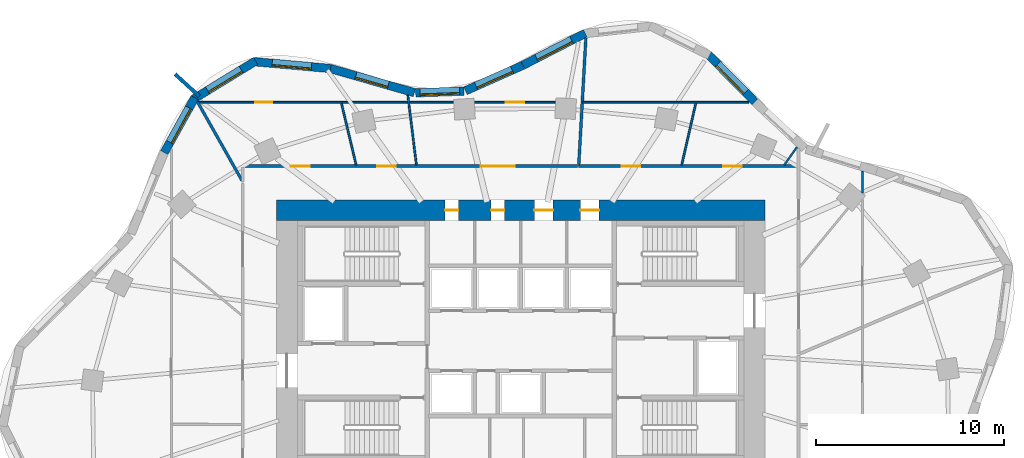
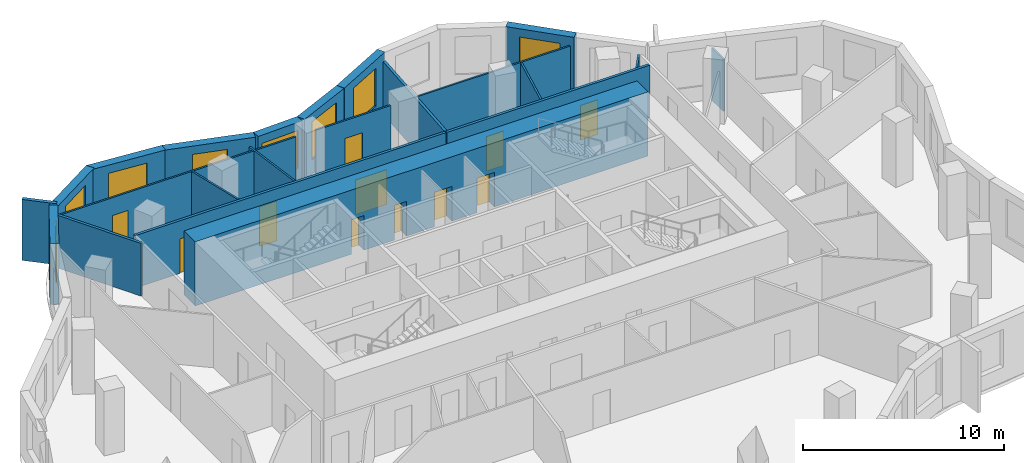
# One storey, part 7 of 9: 22 walls, 11 doors, 8 windows, 19 openings.
"""IFC4 building model written with IfcOpenShell, lengths in metres."""

from ifc_helpers import new_model, si_unit, direction, frame, frame_2d, origin, place, context, subcontext, project, spatial, rectangle, extrude, material, layer, layer_set, type_object, element, fill, save


model = new_model("IFC4")

# Units and contexts
model_context = context("Model", 3, precision=1e-05, world=origin(), true_north=direction((0.0, 1.0)))
body_context = subcontext(model_context, "Body", "Model", "MODEL_VIEW")
ifc_project = project(units=[si_unit("LENGTHUNIT", "METRE"), si_unit("AREAUNIT", "SQUARE_METRE"), si_unit("VOLUMEUNIT", "CUBIC_METRE"), si_unit("PLANEANGLEUNIT", "RADIAN"), si_unit("MASSUNIT", "GRAM", prefix="KILO")], contexts=[model_context])

# Site, building, storey
site_placement = place(None, origin())
site = spatial("IfcSite", under=ifc_project, at=site_placement, CompositionType="ELEMENT")
building_placement = place(site_placement, origin())
building = spatial("IfcBuilding", under=site, at=building_placement, Name="Rubra Terraces Tower", CompositionType="ELEMENT")
storey_placement = place(building_placement, frame((0.0, 0.0, 138.300048828125)))
storey = spatial("IfcBuildingStorey", under=building, at=storey_placement, Name="L33", CompositionType="ELEMENT", Elevation=138.300048828125)

# Wall, opening, window
ifc_material_1 = material(Name="Brick masonry red-brown", Category="masonry")
ifc_layer_1 = layer(ifc_material_1, 0.449951171875)
ifc_layer_set_1 = layer_set([ifc_layer_1], Name="Brick masonry red-brown")
wall_type_1 = type_object("IfcWallType", Name="Brick facade wall 450", PredefinedType="SOLIDWALL", material=ifc_layer_set_1)
wall_1_placement = place(storey_placement, frame((12.46630859375, 17.2255859375, 0.0), z_axis=(0.0, 0.0, 1.0), x_axis=(-0.701875966769, 0.712299183821, 0.0)))
wall_1 = element("IfcWall", 1, at=wall_1_placement, inside=storey, type_object=wall_type_1, Name="Facade wall L33 bay 7", PredefinedType="SOLIDWALL", context=body_context, shape_type="SweptSolid", body=[
    extrude(rectangle(XDim=3.536865234375, YDim=0.449951171875, at=frame_2d((1.7685546875, 0.0))), origin(), (0.0, 0.0, 1.0), 3.699951171875),
])
opening_1_placement = place(wall_1_placement, frame((0.71826171875, 0.0, 0.89990234375)))
opening_1 = element("IfcOpeningElement", 2, at=opening_1_placement, cuts=wall_1, Name="Opening W1B", PredefinedType="OPENING", context=body_context, shape_type="SweptSolid", body=[
    extrude(rectangle(XDim=2.10009765625, YDim=2.300048828125, at=frame_2d((1.050048828125, 1.14990234375))), frame((0.0, 0.23486328125, 0.0), z_axis=(0.0, -1.0, 0.0), x_axis=(1.0, 0.0, 0.0)), (0.0, 0.0, 1.0), 0.469970703125),
])
ifc_material_2 = material(Name="Clear glass in aluminium frame", Category="aluminium")
window_type_1 = type_object("IfcWindowType", Name="Fixed deep-set window tall storey 2100 x 2300", PartitioningType="SINGLE_PANEL", PredefinedType="WINDOW", material=ifc_material_2)
window_1_placement = place(opening_1_placement, origin())
window_1 = element("IfcWindow", 3, at=window_1_placement, inside=storey, type_object=window_type_1, Name="Window L33 bay 7", OverallHeight=2.300048828125, OverallWidth=2.10009765625, PartitioningType="SINGLE_PANEL", PredefinedType="WINDOW", context=body_context, shape_type="SweptSolid", body=[
    extrude(rectangle(XDim=2.10009765625, YDim=2.300048828125, at=frame_2d((1.050048828125, 1.14990234375))), frame((0.0, 0.135009765625, 0.0), z_axis=(0.0, -1.0, 0.0), x_axis=(1.0, 0.0, 0.0)), (0.0, 0.0, 1.0), 0.06005859375),
])
fill(opening_1, window_1)

wall_2_placement = place(storey_placement, frame((3.439697265625, 20.879638671875, 0.0), z_axis=(0.0, 0.0, 1.0), x_axis=(-0.889471529144, -0.456990589446, 0.0)))
wall_2 = element("IfcWall", 4, at=wall_2_placement, inside=storey, type_object=wall_type_1, Name="Facade wall L33 bay 10", PredefinedType="SOLIDWALL", context=body_context, shape_type="SweptSolid", body=[
    extrude(rectangle(XDim=3.7353515625, YDim=0.449951171875, at=frame_2d((1.86767578125, 0.0))), origin(), (0.0, 0.0, 1.0), 3.699951171875),
])
opening_2_placement = place(wall_2_placement, frame((0.817626953125, 0.0, 0.89990234375)))
opening_2 = element("IfcOpeningElement", 5, at=opening_2_placement, cuts=wall_2, Name="Opening W1B", PredefinedType="OPENING", context=body_context, shape_type="SweptSolid", body=[
    extrude(rectangle(XDim=2.10009765625, YDim=2.300048828125, at=frame_2d((1.050048828125, 1.14990234375))), frame((0.0, 0.23486328125, 0.0), z_axis=(0.0, -1.0, 0.0), x_axis=(1.0, 0.0, 0.0)), (0.0, 0.0, 1.0), 0.469970703125),
])
window_2_placement = place(opening_2_placement, origin())
window_2 = element("IfcWindow", 6, at=window_2_placement, inside=storey, type_object=window_type_1, Name="Window L33 bay 10", OverallHeight=2.300048828125, OverallWidth=2.10009765625, PartitioningType="SINGLE_PANEL", PredefinedType="WINDOW", context=body_context, shape_type="SweptSolid", body=[
    extrude(rectangle(XDim=2.10009765625, YDim=2.300048828125, at=frame_2d((1.050048828125, 1.14990234375))), frame((0.0, 0.135009765625, 0.0), z_axis=(0.0, -1.0, 0.0), x_axis=(1.0, 0.0, 0.0)), (0.0, 0.0, 1.0), 0.06005859375),
])
fill(opening_2, window_2)

wall_3_placement = place(storey_placement, frame((0.105224609375, 19.1669921875, 0.0), z_axis=(0.0, 0.0, 1.0), x_axis=(-0.91414046241, -0.405397601109, 0.0)))
wall_3 = element("IfcWall", 7, at=wall_3_placement, inside=storey, type_object=wall_type_1, Name="Facade wall L33 bay 11", PredefinedType="SOLIDWALL", context=body_context, shape_type="SweptSolid", body=[
    extrude(rectangle(XDim=3.333251953125, YDim=0.449951171875, at=frame_2d((1.66650390625, 0.0))), origin(), (0.0, 0.0, 1.0), 3.699951171875),
])
opening_3_placement = place(wall_3_placement, frame((0.61669921875, 0.0, 0.89990234375)))
opening_3 = element("IfcOpeningElement", 8, at=opening_3_placement, cuts=wall_3, Name="Opening W1B", PredefinedType="OPENING", context=body_context, shape_type="SweptSolid", body=[
    extrude(rectangle(XDim=2.10009765625, YDim=2.300048828125, at=frame_2d((1.050048828125, 1.14990234375))), frame((0.0, 0.23486328125, 0.0), z_axis=(0.0, -1.0, 0.0), x_axis=(1.0, 0.0, 0.0)), (0.0, 0.0, 1.0), 0.469970703125),
])
window_3_placement = place(opening_3_placement, origin())
window_3 = element("IfcWindow", 9, at=window_3_placement, inside=storey, type_object=window_type_1, Name="Window L33 bay 11", OverallHeight=2.300048828125, OverallWidth=2.10009765625, PartitioningType="SINGLE_PANEL", PredefinedType="WINDOW", context=body_context, shape_type="SweptSolid", body=[
    extrude(rectangle(XDim=2.10009765625, YDim=2.300048828125, at=frame_2d((1.050048828125, 1.14990234375))), frame((0.0, 0.135009765625, 0.0), z_axis=(0.0, -1.0, 0.0), x_axis=(1.0, 0.0, 0.0)), (0.0, 0.0, 1.0), 0.06005859375),
])
fill(opening_3, window_3)

wall_4_placement = place(storey_placement, frame((-3.022216796875, 17.797607421875, 0.0), z_axis=(0.0, 0.0, 1.0), x_axis=(-0.999339560591, -0.036337895349, 0.0)))
wall_4 = element("IfcWall", 10, at=wall_4_placement, inside=storey, type_object=wall_type_1, Name="Facade wall L33 bay 12", PredefinedType="SOLIDWALL", context=body_context, shape_type="SweptSolid", body=[
    extrude(rectangle(XDim=2.5732421875, YDim=0.449951171875, at=frame_2d((1.28662109375, 0.0))), origin(), (0.0, 0.0, 1.0), 3.699951171875),
])
opening_4_placement = place(wall_4_placement, frame((0.236572265625, 0.0, 0.89990234375)))
opening_4 = element("IfcOpeningElement", 11, at=opening_4_placement, cuts=wall_4, Name="Opening W1B", PredefinedType="OPENING", context=body_context, shape_type="SweptSolid", body=[
    extrude(rectangle(XDim=2.10009765625, YDim=2.300048828125, at=frame_2d((1.050048828125, 1.14990234375))), frame((0.0, 0.23486328125, 0.0), z_axis=(0.0, -1.0, 0.0), x_axis=(1.0, 0.0, 0.0)), (0.0, 0.0, 1.0), 0.469970703125),
])
window_4_placement = place(opening_4_placement, origin())
window_4 = element("IfcWindow", 12, at=window_4_placement, inside=storey, type_object=window_type_1, Name="Window L33 bay 12", OverallHeight=2.300048828125, OverallWidth=2.10009765625, PartitioningType="SINGLE_PANEL", PredefinedType="WINDOW", context=body_context, shape_type="SweptSolid", body=[
    extrude(rectangle(XDim=2.10009765625, YDim=2.300048828125, at=frame_2d((1.050048828125, 1.14990234375))), frame((0.0, 0.135009765625, 0.0), z_axis=(0.0, -1.0, 0.0), x_axis=(1.0, 0.0, 0.0)), (0.0, 0.0, 1.0), 0.06005859375),
])
fill(opening_4, window_4)

wall_5_placement = place(storey_placement, frame((-5.6640625, 17.712646484375, 0.0), z_axis=(0.0, 0.0, 1.0), x_axis=(-0.961108031684, 0.276172684083, 0.0)))
wall_5 = element("IfcWall", 13, at=wall_5_placement, inside=storey, type_object=wall_type_1, Name="Facade wall L33 bay 13", PredefinedType="SOLIDWALL", context=body_context, shape_type="SweptSolid", body=[
    extrude(rectangle(XDim=4.686279296875, YDim=0.449951171875, at=frame_2d((2.34326171875, 0.0))), origin(), (0.0, 0.0, 1.0), 3.699951171875),
])
opening_5_placement = place(wall_5_placement, frame((1.443115234375, 0.0, 0.89990234375)))
opening_5 = element("IfcOpeningElement", 14, at=opening_5_placement, cuts=wall_5, Name="Opening W6B", PredefinedType="OPENING", context=body_context, shape_type="SweptSolid", body=[
    extrude(rectangle(XDim=1.800048828125, YDim=2.300048828125, at=frame_2d((0.89990234375, 1.14990234375))), frame((0.0, 0.23486328125, 0.0), z_axis=(0.0, -1.0, 0.0), x_axis=(1.0, 0.0, 0.0)), (0.0, 0.0, 1.0), 0.469970703125),
])
window_type_2 = type_object("IfcWindowType", Name="Fixed deep-set window at wind fin tall storey 1800 x 2300", PartitioningType="SINGLE_PANEL", PredefinedType="WINDOW", material=ifc_material_2)
window_5_placement = place(opening_5_placement, origin())
window_5 = element("IfcWindow", 15, at=window_5_placement, inside=storey, type_object=window_type_2, Name="Window L33 bay 13", OverallHeight=2.300048828125, OverallWidth=1.800048828125, PartitioningType="SINGLE_PANEL", PredefinedType="WINDOW", context=body_context, shape_type="SweptSolid", body=[
    extrude(rectangle(XDim=1.800048828125, YDim=2.300048828125, at=frame_2d((0.89990234375, 1.14990234375))), frame((0.0, 0.135009765625, 0.0), z_axis=(0.0, -1.0, 0.0), x_axis=(1.0, 0.0, 0.0)), (0.0, 0.0, 1.0), 0.06005859375),
])
fill(opening_5, window_5)

wall_6_placement = place(storey_placement, frame((-10.125732421875, 18.9990234375, 0.0), z_axis=(0.0, 0.0, 1.0), x_axis=(-0.996031087117, 0.089006030672, 0.0)))
wall_6 = element("IfcWall", 16, at=wall_6_placement, inside=storey, type_object=wall_type_1, Name="Facade wall L33 bay 14", PredefinedType="SOLIDWALL", context=body_context, shape_type="SweptSolid", body=[
    extrude(rectangle(XDim=4.14453125, YDim=0.449951171875, at=frame_2d((2.072265625, 0.0))), origin(), (0.0, 0.0, 1.0), 3.699951171875),
])
opening_6_placement = place(wall_6_placement, frame((1.022216796875, 0.0, 0.89990234375)))
opening_6 = element("IfcOpeningElement", 17, at=opening_6_placement, cuts=wall_6, Name="Opening W1B", PredefinedType="OPENING", context=body_context, shape_type="SweptSolid", body=[
    extrude(rectangle(XDim=2.10009765625, YDim=2.300048828125, at=frame_2d((1.050048828125, 1.14990234375))), frame((0.0, 0.23486328125, 0.0), z_axis=(0.0, -1.0, 0.0), x_axis=(1.0, 0.0, 0.0)), (0.0, 0.0, 1.0), 0.469970703125),
])
window_6_placement = place(opening_6_placement, origin())
window_6 = element("IfcWindow", 18, at=window_6_placement, inside=storey, type_object=window_type_1, Name="Window L33 bay 14", OverallHeight=2.300048828125, OverallWidth=2.10009765625, PartitioningType="SINGLE_PANEL", PredefinedType="WINDOW", context=body_context, shape_type="SweptSolid", body=[
    extrude(rectangle(XDim=2.10009765625, YDim=2.300048828125, at=frame_2d((1.050048828125, 1.14990234375))), frame((0.0, 0.135009765625, 0.0), z_axis=(0.0, -1.0, 0.0), x_axis=(1.0, 0.0, 0.0)), (0.0, 0.0, 1.0), 0.06005859375),
])
fill(opening_6, window_6)

wall_7_placement = place(storey_placement, frame((-14.116455078125, 19.400146484375, 0.0), z_axis=(0.0, 0.0, 1.0), x_axis=(-0.852622865325, -0.522526793117, 0.0)))
wall_7 = element("IfcWall", 19, at=wall_7_placement, inside=storey, type_object=wall_type_1, Name="Facade wall L33 bay 15", PredefinedType="SOLIDWALL", context=body_context, shape_type="SweptSolid", body=[
    extrude(rectangle(XDim=3.896240234375, YDim=0.449951171875, at=frame_2d((1.9482421875, 0.0))), origin(), (0.0, 0.0, 1.0), 3.699951171875),
])
opening_7_placement = place(wall_7_placement, frame((0.898193359375, 0.0, 0.89990234375)))
opening_7 = element("IfcOpeningElement", 20, at=opening_7_placement, cuts=wall_7, Name="Opening W1B", PredefinedType="OPENING", context=body_context, shape_type="SweptSolid", body=[
    extrude(rectangle(XDim=2.10009765625, YDim=2.300048828125, at=frame_2d((1.050048828125, 1.14990234375))), frame((0.0, 0.23486328125, 0.0), z_axis=(0.0, -1.0, 0.0), x_axis=(1.0, 0.0, 0.0)), (0.0, 0.0, 1.0), 0.469970703125),
])
window_7_placement = place(opening_7_placement, origin())
window_7 = element("IfcWindow", 21, at=window_7_placement, inside=storey, type_object=window_type_1, Name="Window L33 bay 15", OverallHeight=2.300048828125, OverallWidth=2.10009765625, PartitioningType="SINGLE_PANEL", PredefinedType="WINDOW", context=body_context, shape_type="SweptSolid", body=[
    extrude(rectangle(XDim=2.10009765625, YDim=2.300048828125, at=frame_2d((1.050048828125, 1.14990234375))), frame((0.0, 0.135009765625, 0.0), z_axis=(0.0, -1.0, 0.0), x_axis=(1.0, 0.0, 0.0)), (0.0, 0.0, 1.0), 0.06005859375),
])
fill(opening_7, window_7)

wall_8_placement = place(storey_placement, frame((-17.359375, 17.44677734375, 0.0), z_axis=(0.0, 0.0, 1.0), x_axis=(-0.485618126214, -0.874171056197, 0.0)))
wall_8 = element("IfcWall", 22, at=wall_8_placement, inside=storey, type_object=wall_type_1, Name="Facade wall L33 bay 16", PredefinedType="SOLIDWALL", context=body_context, shape_type="SweptSolid", body=[
    extrude(rectangle(XDim=3.3427734375, YDim=0.449951171875, at=frame_2d((1.67138671875, 0.0))), origin(), (0.0, 0.0, 1.0), 3.699951171875),
])
opening_8_placement = place(wall_8_placement, frame((0.621337890625, 0.0, 0.89990234375)))
opening_8 = element("IfcOpeningElement", 23, at=opening_8_placement, cuts=wall_8, Name="Opening W1B", PredefinedType="OPENING", context=body_context, shape_type="SweptSolid", body=[
    extrude(rectangle(XDim=2.10009765625, YDim=2.300048828125, at=frame_2d((1.050048828125, 1.14990234375))), frame((0.0, 0.23486328125, 0.0), z_axis=(0.0, -1.0, 0.0), x_axis=(1.0, 0.0, 0.0)), (0.0, 0.0, 1.0), 0.469970703125),
])
window_8_placement = place(opening_8_placement, origin())
window_8 = element("IfcWindow", 24, at=window_8_placement, inside=storey, type_object=window_type_1, Name="Window L33 bay 16", OverallHeight=2.300048828125, OverallWidth=2.10009765625, PartitioningType="SINGLE_PANEL", PredefinedType="WINDOW", context=body_context, shape_type="SweptSolid", body=[
    extrude(rectangle(XDim=2.10009765625, YDim=2.300048828125, at=frame_2d((1.050048828125, 1.14990234375))), frame((0.0, 0.135009765625, 0.0), z_axis=(0.0, -1.0, 0.0), x_axis=(1.0, 0.0, 0.0)), (0.0, 0.0, 1.0), 0.06005859375),
])
fill(opening_8, window_8)

# Wall
ifc_layer_2 = layer(ifc_material_1, 0.199951171875)
ifc_layer_set_2 = layer_set([ifc_layer_2], Name="Brick masonry red-brown")
wall_type_2 = type_object("IfcWallType", Name="Brick wind fin 200", PredefinedType="SOLIDWALL", material=ifc_layer_set_2)
wall_9_placement = place(storey_placement, frame((-17.118896484375, 17.52294921875, 0.0), z_axis=(0.0, 0.0, 1.0), x_axis=(-0.737866019047, 0.674947211221, 0.0)))
element("IfcWall", 25, at=wall_9_placement, inside=storey, type_object=wall_type_2, Name="Wind fin L33 8", PredefinedType="SOLIDWALL", context=body_context, shape_type="SweptSolid", body=[
    extrude(rectangle(XDim=1.75, YDim=0.199951171875, at=frame_2d((0.875, 0.0))), origin(), (0.0, 0.0, 1.0), 3.699951171875),
])

# Wall, openings, doors
ifc_material_3 = material(Name="Concrete C60", Category="concrete")
ifc_layer_3 = layer(ifc_material_3, 1.10009765625)
ifc_layer_set_3 = layer_set([ifc_layer_3], Name="Concrete C60")
wall_type_3 = type_object("IfcWallType", Name="CORE WALL 1100 C60", PredefinedType="SHEAR", material=ifc_layer_set_3)
wall_10_placement = place(storey_placement, frame((-13.0, 11.449951171875, 0.0), z_axis=(0.0, 0.0, 1.0), x_axis=(1.0, 0.0, 0.0)))
wall_10 = element("IfcWall", 26, at=wall_10_placement, inside=storey, type_object=wall_type_3, Name="CORE WALL N L33", PredefinedType="SHEAR", context=body_context, shape_type="SweptSolid", body=[
    extrude(rectangle(XDim=26.0, YDim=1.10009765625, at=frame_2d((13.0, 0.0))), origin(), (0.0, 0.0, 1.0), 3.89990234375),
])
opening_9_placement = place(wall_10_placement, frame((8.97509765625, 0.0, 0.0)))
opening_9 = element("IfcOpeningElement", 27, at=opening_9_placement, cuts=wall_10, Name="Opening L33.C25", PredefinedType="OPENING", context=body_context, shape_type="SweptSolid", body=[
    extrude(rectangle(XDim=0.699951171875, YDim=2.10009765625, at=frame_2d((0.35009765625, 1.050048828125))), frame((0.0, 0.56005859375, 0.0), z_axis=(0.0, -1.0, 0.0), x_axis=(1.0, 0.0, 0.0)), (0.0, 0.0, 1.0), 1.1201171875),
])
opening_10_placement = place(wall_10_placement, frame((11.425048828125, 0.0, 0.0)))
opening_10 = element("IfcOpeningElement", 28, at=opening_10_placement, cuts=wall_10, Name="Opening L33.C26", PredefinedType="OPENING", context=body_context, shape_type="SweptSolid", body=[
    extrude(rectangle(XDim=0.699951171875, YDim=2.10009765625, at=frame_2d((0.35009765625, 1.050048828125))), frame((0.0, 0.56005859375, 0.0), z_axis=(0.0, -1.0, 0.0), x_axis=(1.0, 0.0, 0.0)), (0.0, 0.0, 1.0), 1.1201171875),
])
opening_11_placement = place(wall_10_placement, frame((13.72509765625, 0.0, 0.0)))
opening_11 = element("IfcOpeningElement", 29, at=opening_11_placement, cuts=wall_10, Name="Opening L33.C27", PredefinedType="OPENING", context=body_context, shape_type="SweptSolid", body=[
    extrude(rectangle(XDim=1.0, YDim=2.10009765625, at=frame_2d((0.5, 1.050048828125))), frame((0.0, 0.56005859375, 0.0), z_axis=(0.0, -1.0, 0.0), x_axis=(1.0, 0.0, 0.0)), (0.0, 0.0, 1.0), 1.1201171875),
])
opening_12_placement = place(wall_10_placement, frame((16.175048828125, 0.0, 0.0)))
opening_12 = element("IfcOpeningElement", 30, at=opening_12_placement, cuts=wall_10, Name="Opening L33.C28", PredefinedType="OPENING", context=body_context, shape_type="SweptSolid", body=[
    extrude(rectangle(XDim=1.0, YDim=2.10009765625, at=frame_2d((0.5, 1.050048828125))), frame((0.0, 0.56005859375, 0.0), z_axis=(0.0, -1.0, 0.0), x_axis=(1.0, 0.0, 0.0)), (0.0, 0.0, 1.0), 1.1201171875),
])
ifc_material_4 = material(Name="Painted steel", Category="steel")
door_type_1 = type_object("IfcDoorType", Name="Fire door 1000x2100 single", OperationType="NOTDEFINED", PredefinedType="DOOR", material=ifc_material_4)
door_1_placement = place(opening_11_placement, origin())
door_1 = element("IfcDoor", 31, at=door_1_placement, inside=storey, type_object=door_type_1, Name="Tea point door", OperationType="SINGLE_SWING_LEFT", OverallHeight=2.10009765625, OverallWidth=1.0, PredefinedType="DOOR", context=body_context, shape_type="SweptSolid", body=[
    extrude(rectangle(XDim=1.0, YDim=2.10009765625, at=frame_2d((0.5, 1.050048828125))), frame((0.0, 0.02490234375, 0.0), z_axis=(0.0, -1.0, 0.0), x_axis=(1.0, 0.0, 0.0)), (0.0, 0.0, 1.0), 0.050048828125),
])
fill(opening_11, door_1)
door_2_placement = place(opening_12_placement, origin())
door_2 = element("IfcDoor", 32, at=door_2_placement, inside=storey, type_object=door_type_1, Name="General store door", OperationType="SINGLE_SWING_RIGHT", OverallHeight=2.10009765625, OverallWidth=1.0, PredefinedType="DOOR", context=body_context, shape_type="SweptSolid", body=[
    extrude(rectangle(XDim=1.0, YDim=2.10009765625, at=frame_2d((0.5, 1.050048828125))), frame((0.0, 0.02490234375, 0.0), z_axis=(0.0, -1.0, 0.0), x_axis=(1.0, 0.0, 0.0)), (0.0, 0.0, 1.0), 0.050048828125),
])
fill(opening_12, door_2)
door_type_2 = type_object("IfcDoorType", Name="Riser access door 700x2100 single", OperationType="NOTDEFINED", PredefinedType="DOOR", material=ifc_material_4)
door_3_placement = place(opening_9_placement, origin())
door_3 = element("IfcDoor", 33, at=door_3_placement, inside=storey, type_object=door_type_2, Name="Electrical riser room door", OperationType="SINGLE_SWING_LEFT", OverallHeight=2.10009765625, OverallWidth=0.699951171875, PredefinedType="DOOR", context=body_context, shape_type="SweptSolid", body=[
    extrude(rectangle(XDim=0.699951171875, YDim=2.10009765625, at=frame_2d((0.35009765625, 1.050048828125))), frame((0.0, 0.02490234375, 0.0), z_axis=(0.0, -1.0, 0.0), x_axis=(1.0, 0.0, 0.0)), (0.0, 0.0, 1.0), 0.050048828125),
])
fill(opening_9, door_3)
door_4_placement = place(opening_10_placement, origin())
door_4 = element("IfcDoor", 34, at=door_4_placement, inside=storey, type_object=door_type_2, Name="Telecoms room door", OperationType="SINGLE_SWING_RIGHT", OverallHeight=2.10009765625, OverallWidth=0.699951171875, PredefinedType="DOOR", context=body_context, shape_type="SweptSolid", body=[
    extrude(rectangle(XDim=0.699951171875, YDim=2.10009765625, at=frame_2d((0.35009765625, 1.050048828125))), frame((0.0, 0.02490234375, 0.0), z_axis=(0.0, -1.0, 0.0), x_axis=(1.0, 0.0, 0.0)), (0.0, 0.0, 1.0), 0.050048828125),
])
fill(opening_10, door_4)

ifc_material_5 = material(Name="Plasterboard on steel stud, mineral wool infill", Category="steel")
ifc_layer_4 = layer(ifc_material_5, 0.14990234375)
ifc_layer_set_4 = layer_set([ifc_layer_4], Name="Plasterboard on steel stud, mineral wool infill")
wall_type_4 = type_object("IfcWallType", Name="CORRIDOR PARTITION 150", PredefinedType="PARTITIONING", material=ifc_layer_set_4)
wall_11_placement = place(storey_placement, frame((14.72509765625, 13.800048828125, 0.0), z_axis=(0.0, 0.0, 1.0), x_axis=(-1.0, 0.0, 0.0)))
wall_11 = element("IfcWall", 35, at=wall_11_placement, inside=storey, type_object=wall_type_4, Name="PARTITION", PredefinedType="PARTITIONING", context=body_context, shape_type="SweptSolid", body=[
    extrude(rectangle(XDim=11.638427734375, YDim=0.14990234375, at=frame_2d((5.8193359375, 0.0))), origin(), (0.0, 0.0, 1.0), 3.197998046875),
])
opening_13_placement = place(wall_11_placement, frame((2.949951171875, 0.0, 0.0)))
opening_13 = element("IfcOpeningElement", 36, at=opening_13_placement, cuts=wall_11, Name="Opening 33-124", PredefinedType="OPENING", context=body_context, shape_type="SweptSolid", body=[
    extrude(rectangle(XDim=1.0, YDim=2.10009765625, at=frame_2d((0.5, 1.050048828125))), frame((0.0, 0.0849609375, 0.0), z_axis=(0.0, -1.0, 0.0), x_axis=(1.0, 0.0, 0.0)), (0.0, 0.0, 1.0), 0.169921875),
])
opening_14_placement = place(wall_11_placement, frame((8.35009765625, 0.0, 0.0)))
opening_14 = element("IfcOpeningElement", 37, at=opening_14_placement, cuts=wall_11, Name="Opening 33-125", PredefinedType="OPENING", context=body_context, shape_type="SweptSolid", body=[
    extrude(rectangle(XDim=1.0, YDim=2.10009765625, at=frame_2d((0.5, 1.050048828125))), frame((0.0, 0.0849609375, 0.0), z_axis=(0.0, -1.0, 0.0), x_axis=(1.0, 0.0, 0.0)), (0.0, 0.0, 1.0), 0.169921875),
])
ifc_material_6 = material(Name="Painted timber door leaf", Category="wood")
door_type_3 = type_object("IfcDoorType", Name="ROOM DOOR 1000 X 2100", OperationType="SINGLE_SWING_LEFT", PredefinedType="DOOR", material=ifc_material_6)
door_5_placement = place(opening_13_placement, origin())
door_5 = element("IfcDoor", 38, at=door_5_placement, inside=storey, type_object=door_type_3, Name="DOOR 33-124", OperationType="SINGLE_SWING_RIGHT", OverallHeight=2.10009765625, OverallWidth=1.0, PredefinedType="DOOR", context=body_context, shape_type="SweptSolid", body=[
    extrude(rectangle(XDim=1.0, YDim=2.10009765625, at=frame_2d((0.5, 1.050048828125))), frame((0.0, 0.02490234375, 0.0), z_axis=(0.0, -1.0, 0.0), x_axis=(1.0, 0.0, 0.0)), (0.0, 0.0, 1.0), 0.050048828125),
])
fill(opening_13, door_5)
door_6_placement = place(opening_14_placement, origin())
door_6 = element("IfcDoor", 39, at=door_6_placement, inside=storey, type_object=door_type_3, Name="DOOR 33-125", OperationType="SINGLE_SWING_RIGHT", OverallHeight=2.10009765625, OverallWidth=1.0, PredefinedType="DOOR", context=body_context, shape_type="SweptSolid", body=[
    extrude(rectangle(XDim=1.0, YDim=2.10009765625, at=frame_2d((0.5, 1.050048828125))), frame((0.0, 0.02490234375, 0.0), z_axis=(0.0, -1.0, 0.0), x_axis=(1.0, 0.0, 0.0)), (0.0, 0.0, 1.0), 0.050048828125),
])
fill(opening_14, door_6)

wall_12_placement = place(storey_placement, frame((3.01171875, 13.800048828125, 0.0), z_axis=(0.0, 0.0, 1.0), x_axis=(-1.0, 0.0, 0.0)))
wall_12 = element("IfcWall", 40, at=wall_12_placement, inside=storey, type_object=wall_type_4, Name="PARTITION", PredefinedType="PARTITIONING", context=body_context, shape_type="SweptSolid", body=[
    extrude(rectangle(XDim=17.811767578125, YDim=0.14990234375, at=frame_2d((8.90576171875, 0.0))), origin(), (0.0, 0.0, 1.0), 3.197998046875),
])
opening_15_placement = place(wall_12_placement, frame((3.342041015625, 0.0, 0.0)))
opening_15 = element("IfcOpeningElement", 41, at=opening_15_placement, cuts=wall_12, Name="Opening 33-104", PredefinedType="OPENING", context=body_context, shape_type="SweptSolid", body=[
    extrude(rectangle(XDim=1.800048828125, YDim=2.10009765625, at=frame_2d((0.89990234375, 1.050048828125))), frame((0.0, 0.0849609375, 0.0), z_axis=(0.0, -1.0, 0.0), x_axis=(1.0, 0.0, 0.0)), (0.0, 0.0, 1.0), 0.169921875),
])
opening_16_placement = place(wall_12_placement, frame((9.658935546875, 0.0, 0.0)))
opening_16 = element("IfcOpeningElement", 42, at=opening_16_placement, cuts=wall_12, Name="Opening 33-105", PredefinedType="OPENING", context=body_context, shape_type="SweptSolid", body=[
    extrude(rectangle(XDim=1.0, YDim=2.39990234375, at=frame_2d((0.5, 1.199951171875))), frame((0.0, 0.0849609375, 0.0), z_axis=(0.0, -1.0, 0.0), x_axis=(1.0, 0.0, 0.0)), (0.0, 0.0, 1.0), 0.169921875),
])
opening_17_placement = place(wall_12_placement, frame((14.25, 0.0, 0.0)))
opening_17 = element("IfcOpeningElement", 43, at=opening_17_placement, cuts=wall_12, Name="Opening 33-127", PredefinedType="OPENING", context=body_context, shape_type="SweptSolid", body=[
    extrude(rectangle(XDim=1.0, YDim=2.10009765625, at=frame_2d((0.5, 1.050048828125))), frame((0.0, 0.0849609375, 0.0), z_axis=(0.0, -1.0, 0.0), x_axis=(1.0, 0.0, 0.0)), (0.0, 0.0, 1.0), 0.169921875),
])
ifc_material_7 = material(Name="Glazed aluminium meeting door leaf", Category="aluminium")
door_type_4 = type_object("IfcDoorType", Name="MEETING ROOM GLAZED DOOR 1000 X 2400", OperationType="SINGLE_SWING_LEFT", PredefinedType="DOOR", material=ifc_material_7)
door_7_placement = place(opening_16_placement, origin())
door_7 = element("IfcDoor", 44, at=door_7_placement, inside=storey, type_object=door_type_4, Name="DOOR 33-105", OperationType="SINGLE_SWING_RIGHT", OverallHeight=2.39990234375, OverallWidth=1.0, PredefinedType="DOOR", context=body_context, shape_type="SweptSolid", body=[
    extrude(rectangle(XDim=1.0, YDim=2.39990234375, at=frame_2d((0.5, 1.199951171875))), frame((0.0, 0.02490234375, 0.0), z_axis=(0.0, -1.0, 0.0), x_axis=(1.0, 0.0, 0.0)), (0.0, 0.0, 1.0), 0.050048828125),
])
fill(opening_16, door_7)
door_8_placement = place(opening_17_placement, origin())
door_8 = element("IfcDoor", 45, at=door_8_placement, inside=storey, type_object=door_type_3, Name="DOOR 33-127", OperationType="SINGLE_SWING_RIGHT", OverallHeight=2.10009765625, OverallWidth=1.0, PredefinedType="DOOR", context=body_context, shape_type="SweptSolid", body=[
    extrude(rectangle(XDim=1.0, YDim=2.10009765625, at=frame_2d((0.5, 1.050048828125))), frame((0.0, 0.02490234375, 0.0), z_axis=(0.0, -1.0, 0.0), x_axis=(1.0, 0.0, 0.0)), (0.0, 0.0, 1.0), 0.050048828125),
])
fill(opening_17, door_8)
ifc_material_8 = material(Name="Painted timber door leaf, double", Category="wood")
door_type_5 = type_object("IfcDoorType", Name="ROOM DOUBLE DOOR 1800 X 2100", OperationType="DOUBLE_DOOR_SINGLE_SWING", PredefinedType="DOOR", material=ifc_material_8)
door_9_placement = place(opening_15_placement, origin())
door_9 = element("IfcDoor", 46, at=door_9_placement, inside=storey, type_object=door_type_5, Name="DOOR 33-104", OperationType="DOUBLE_DOOR_SINGLE_SWING", OverallHeight=2.10009765625, OverallWidth=1.800048828125, PredefinedType="DOOR", context=body_context, shape_type="SweptSolid", body=[
    extrude(rectangle(XDim=1.800048828125, YDim=2.10009765625, at=frame_2d((0.89990234375, 1.050048828125))), frame((0.0, 0.02490234375, 0.0), z_axis=(0.0, -1.0, 0.0), x_axis=(1.0, 0.0, 0.0)), (0.0, 0.0, 1.0), 0.050048828125),
])
fill(opening_15, door_9)

# Walls
ifc_material_9 = material(Name="Plasterboard on steel stud", Category="steel")
ifc_layer_5 = layer(ifc_material_9, 0.10009765625)
ifc_layer_set_5 = layer_set([ifc_layer_5], Name="Plasterboard on steel stud")
wall_type_5 = type_object("IfcWallType", Name="ROOM PARTITION 100", PredefinedType="PARTITIONING", material=ifc_layer_set_5)
wall_13_placement = place(storey_placement, frame((3.297607421875, 17.199951171875, 0.0), z_axis=(0.0, 0.0, 1.0), x_axis=(1.0, 0.0, 0.0)))
element("IfcWall", 47, at=wall_13_placement, inside=storey, type_object=wall_type_5, Name="PARTITION", PredefinedType="PARTITIONING", context=body_context, shape_type="SweptSolid", body=[
    extrude(rectangle(XDim=8.85009765625, YDim=0.10009765625, at=frame_2d((4.425048828125, 0.0))), origin(), (0.0, 0.0, 1.0), 3.183837890625),
])
wall_14_placement = place(storey_placement, frame((18.199951171875, 13.51904296875, 0.0), z_axis=(0.0, 0.0, 1.0), x_axis=(0.0, -1.0, 0.0)))
element("IfcWall", 48, at=wall_14_placement, inside=storey, type_object=wall_type_5, Name="PARTITION", PredefinedType="PARTITIONING", context=body_context, shape_type="SweptSolid", body=[
    extrude(rectangle(XDim=1.1376953125, YDim=0.10009765625, at=frame_2d((0.56884765625, 0.0))), origin(), (0.0, 0.0, 1.0), 3.183837890625),
])
wall_15_placement = place(storey_placement, frame((14.03515625, 13.861083984375, 0.0), z_axis=(0.0, 0.0, 1.0), x_axis=(0.57745118401, 0.816425214019, 0.0)))
element("IfcWall", 49, at=wall_15_placement, inside=storey, type_object=wall_type_5, Name="PARTITION", PredefinedType="PARTITIONING", context=body_context, shape_type="SweptSolid", body=[
    extrude(rectangle(XDim=1.1728515625, YDim=0.10009765625, at=frame_2d((0.58642578125, 0.0))), origin(), (0.0, 0.0, 1.0), 3.183837890625),
])
wall_16_placement = place(storey_placement, frame((8.572509765625, 13.873046875, 0.0), z_axis=(0.0, 0.0, 1.0), x_axis=(0.224048430302, 0.974578011695, 0.0)))
element("IfcWall", 50, at=wall_16_placement, inside=storey, type_object=wall_type_5, Name="PARTITION", PredefinedType="PARTITIONING", context=body_context, shape_type="SweptSolid", body=[
    extrude(rectangle(XDim=3.36376953125, YDim=0.10009765625, at=frame_2d((1.681884765625, 0.0))), origin(), (0.0, 0.0, 1.0), 3.183837890625),
])

# Wall, opening, door
wall_17_placement = place(storey_placement, frame((-17.177734375, 17.199951171875, 0.0), z_axis=(0.0, 0.0, 1.0), x_axis=(1.0, 0.0, 0.0)))
wall_17 = element("IfcWall", 51, at=wall_17_placement, inside=storey, type_object=wall_type_5, Name="PARTITION", PredefinedType="PARTITIONING", context=body_context, shape_type="SweptSolid", body=[
    extrude(rectangle(XDim=13.5849609375, YDim=0.10009765625, at=frame_2d((6.79248046875, 0.0))), origin(), (0.0, 0.0, 1.0), 3.183837890625),
])
opening_18_placement = place(wall_17_placement, frame((3.04296875, 0.0, 0.0)))
opening_18 = element("IfcOpeningElement", 52, at=opening_18_placement, cuts=wall_17, Name="Opening 33-106", PredefinedType="OPENING", context=body_context, shape_type="SweptSolid", body=[
    extrude(rectangle(XDim=0.89990234375, YDim=2.10009765625, at=frame_2d((0.449951171875, 1.050048828125))), frame((0.0, 0.06005859375, 0.0), z_axis=(0.0, -1.0, 0.0), x_axis=(1.0, 0.0, 0.0)), (0.0, 0.0, 1.0), 0.1201171875),
])
door_type_6 = type_object("IfcDoorType", Name="ROOM DOOR 900 X 2100", OperationType="SINGLE_SWING_LEFT", PredefinedType="DOOR", material=ifc_material_6)
door_10_placement = place(opening_18_placement, origin())
door_10 = element("IfcDoor", 53, at=door_10_placement, inside=storey, type_object=door_type_6, Name="DOOR 33-106", OperationType="SINGLE_SWING_LEFT", OverallHeight=2.10009765625, OverallWidth=0.89990234375, PredefinedType="DOOR", context=body_context, shape_type="SweptSolid", body=[
    extrude(rectangle(XDim=0.89990234375, YDim=2.10009765625, at=frame_2d((0.449951171875, 1.050048828125))), frame((0.0, 0.02490234375, 0.0), z_axis=(0.0, -1.0, 0.0), x_axis=(1.0, 0.0, 0.0)), (0.0, 0.0, 1.0), 0.050048828125),
])
fill(opening_18, door_10)

wall_18_placement = place(storey_placement, frame((-2.45068359375, 17.199951171875, 0.0), z_axis=(0.0, 0.0, 1.0), x_axis=(1.0, 0.0, 0.0)))
wall_18 = element("IfcWall", 54, at=wall_18_placement, inside=storey, type_object=wall_type_5, Name="PARTITION", PredefinedType="PARTITIONING", context=body_context, shape_type="SweptSolid", body=[
    extrude(rectangle(XDim=4.28857421875, YDim=0.10009765625, at=frame_2d((2.144287109375, 0.0))), origin(), (0.0, 0.0, 1.0), 3.183837890625),
])
opening_19_placement = place(wall_18_placement, frame((1.64990234375, 0.0, 0.0)))
opening_19 = element("IfcOpeningElement", 55, at=opening_19_placement, cuts=wall_18, Name="Opening 33-126", PredefinedType="OPENING", context=body_context, shape_type="SweptSolid", body=[
    extrude(rectangle(XDim=1.0, YDim=2.10009765625, at=frame_2d((0.5, 1.050048828125))), frame((0.0, 0.06005859375, 0.0), z_axis=(0.0, -1.0, 0.0), x_axis=(1.0, 0.0, 0.0)), (0.0, 0.0, 1.0), 0.1201171875),
])
door_11_placement = place(opening_19_placement, origin())
door_11 = element("IfcDoor", 56, at=door_11_placement, inside=storey, type_object=door_type_3, Name="DOOR 33-126", OperationType="SINGLE_SWING_LEFT", OverallHeight=2.10009765625, OverallWidth=1.0, PredefinedType="DOOR", context=body_context, shape_type="SweptSolid", body=[
    extrude(rectangle(XDim=1.0, YDim=2.10009765625, at=frame_2d((0.5, 1.050048828125))), frame((0.0, 0.02490234375, 0.0), z_axis=(0.0, -1.0, 0.0), x_axis=(1.0, 0.0, 0.0)), (0.0, 0.0, 1.0), 0.050048828125),
])
fill(opening_19, door_11)

# Walls
wall_19_placement = place(storey_placement, frame((-5.555908203125, 13.87451171875, 0.0), z_axis=(0.0, 0.0, 1.0), x_axis=(-0.122573624649, 0.99245942312, 0.0)))
element("IfcWall", 57, at=wall_19_placement, inside=storey, type_object=wall_type_5, Name="PARTITION", PredefinedType="PARTITIONING", context=body_context, shape_type="SweptSolid", body=[
    extrude(rectangle(XDim=3.72265625, YDim=0.10009765625, at=frame_2d((1.861328125, 0.0))), origin(), (0.0, 0.0, 1.0), 3.183837890625),
])
wall_20_placement = place(storey_placement, frame((-8.765380859375, 13.872802734375, 0.0), z_axis=(0.0, 0.0, 1.0), x_axis=(-0.232827854215, 0.972517963999, 0.0)))
element("IfcWall", 58, at=wall_20_placement, inside=storey, type_object=wall_type_5, Name="PARTITION", PredefinedType="PARTITIONING", context=body_context, shape_type="SweptSolid", body=[
    extrude(rectangle(XDim=3.37109375, YDim=0.10009765625, at=frame_2d((1.685546875, 0.0))), origin(), (0.0, 0.0, 1.0), 3.183837890625),
])
ifc_layer_6 = layer(ifc_material_9, 0.14990234375)
ifc_layer_set_6 = layer_set([ifc_layer_6], Name="Plasterboard on steel stud")
wall_type_6 = type_object("IfcWallType", Name="ROOM PARTITION 150", PredefinedType="PARTITIONING", material=ifc_layer_set_6)
wall_21_placement = place(storey_placement, frame((3.47021484375, 20.63818359375, 0.0), z_axis=(0.0, 0.0, 1.0), x_axis=(-0.056008975247, -0.998430265312, 0.0)))
element("IfcWall", 59, at=wall_21_placement, inside=storey, type_object=wall_type_6, Name="PARTITION", PredefinedType="PARTITIONING", context=body_context, shape_type="SweptSolid", body=[
    extrude(rectangle(XDim=6.77392578125, YDim=0.14990234375, at=frame_2d((3.386962890625, 0.0))), origin(), (0.0, 0.0, 1.0), 3.197998046875),
])
wall_22_placement = place(storey_placement, frame((-17.2177734375, 17.22998046875, 0.0), z_axis=(0.0, 0.0, 1.0), x_axis=(0.492436580725, -0.870348329098, 0.0)))
element("IfcWall", 60, at=wall_22_placement, inside=storey, type_object=wall_type_6, Name="PARTITION", PredefinedType="PARTITIONING", context=body_context, shape_type="SweptSolid", body=[
    extrude(rectangle(XDim=4.8349609375, YDim=0.14990234375, at=frame_2d((2.41748046875, 0.0))), origin(), (0.0, 0.0, 1.0), 3.197998046875),
])

save(model, "model.ifc")
